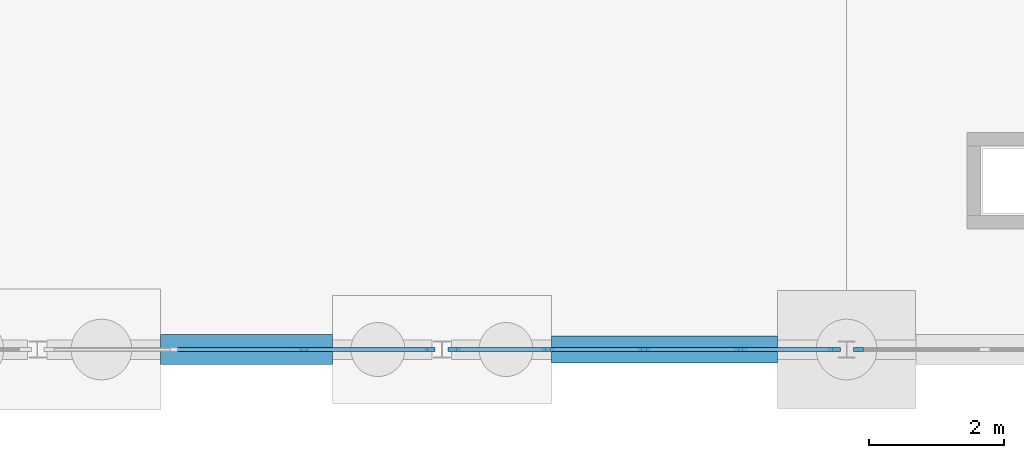
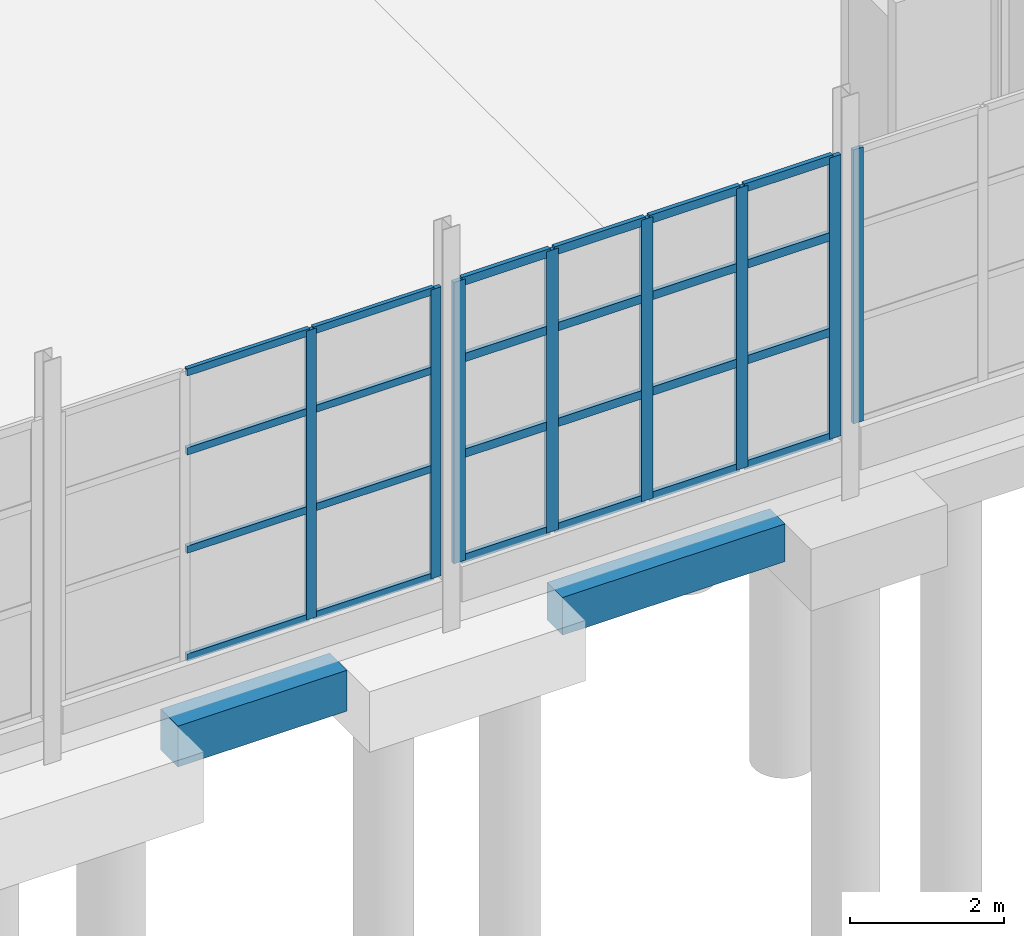
# One storey, part 56 of 120: 32 members, 2 beams, 3 elements without a shape of their own.
"""IFC4 building model written with IfcOpenShell, lengths in metres."""

from ifc_helpers import new_model, si_unit, direction, frame, origin, origin_2d, place, context, subcontext, project, spatial, rectangle, extrude, material, material_profile, profile_set, type_object, element, aggregate, save


model = new_model("IFC4")

# Units and contexts
model_context = context("Model", 3, precision=1e-05, world=origin(), true_north=direction((0.0, 1.0)))
body_context = subcontext(model_context, "Body", "Model", "MODEL_VIEW")
ifc_project = project(units=[si_unit("LENGTHUNIT", "METRE"), si_unit("AREAUNIT", "SQUARE_METRE"), si_unit("VOLUMEUNIT", "CUBIC_METRE"), si_unit("PLANEANGLEUNIT", "RADIAN"), si_unit("MASSUNIT", "GRAM", prefix="KILO")], contexts=[model_context])

# Site, building, storey
site_placement = place(None, origin())
site = spatial("IfcSite", under=ifc_project, at=site_placement, CompositionType="ELEMENT")
building_placement = place(site_placement, origin())
building = spatial("IfcBuilding", under=site, at=building_placement, Name="Siltcreek Boulevard Central Fire Station", CompositionType="ELEMENT")
storey_placement = place(building_placement, origin())
storey = spatial("IfcBuildingStorey", under=building, at=storey_placement, Name="L01", CompositionType="ELEMENT", Elevation=0.0)

# Curtain wall, members
ifc_material_1 = material(Name="Anodized aluminum and low-E insulated glazing", Category="aluminium")
curtain_wall_type_1 = type_object("IfcCurtainWallType", Name="CW_SYS_08", PredefinedType="USERDEFINED", material=ifc_material_1)
curtain_wall_1_placement = place(storey_placement, origin())
curtain_wall_1 = element("IfcCurtainWall", 1, at=curtain_wall_1_placement, inside=storey, type_object=curtain_wall_type_1, Name="L01 V6 unitised curtain wall CW-187", ObjectType="CURTAIN WALL", PredefinedType="USERDEFINED")
ifc_material_2 = material(Name="Anodized 6063-T6 aluminum framing", Category="aluminium")
ifc_material_profile_1 = material_profile(ifc_material_2, rectangle(XDim=0.06005859375, YDim=0.14990234375, at=origin_2d()), Name="MULL60X150")
ifc_profile_set_1 = profile_set([ifc_material_profile_1], Name="Anodized 6063-T6 aluminum framing")
member_type_1 = type_object("IfcMemberType", Name="CWM_60X150", PredefinedType="MULLION", material=ifc_profile_set_1)
member_1_placement = place(storey_placement, frame((152.151611328125, 1.800048828125, 0.43994140625), z_axis=(0.0, 0.0, 1.0), x_axis=(0.0, 1.0, 0.0)))
member_1 = element("IfcMember", 2, at=member_1_placement, type_object=member_type_1, Name="CW-187 mullion 3", PredefinedType="MULLION", context=body_context, shape_type="SweptSolid", body=[
    extrude(rectangle(XDim=0.06005859375, YDim=0.14990234375, at=origin_2d()), origin(), (0.0, 0.0, 1.0), 4.594970703125),
])
member_2_placement = place(storey_placement, frame((154.02490234375, 1.800048828125, 0.43994140625), z_axis=(0.0, 0.0, 1.0), x_axis=(0.0, 1.0, 0.0)))
member_2 = element("IfcMember", 3, at=member_2_placement, type_object=member_type_1, Name="CW-187 mullion 4", PredefinedType="MULLION", context=body_context, shape_type="SweptSolid", body=[
    extrude(rectangle(XDim=0.06005859375, YDim=0.14990234375, at=origin_2d()), origin(), (0.0, 0.0, 1.0), 4.594970703125),
])

# Curtain wall, member
curtain_wall_type_2 = type_object("IfcCurtainWallType", Name="CW_SYS_10", PredefinedType="USERDEFINED", material=ifc_material_1)
curtain_wall_2_placement = place(storey_placement, origin())
curtain_wall_2 = element("IfcCurtainWall", 4, at=curtain_wall_2_placement, inside=storey, type_object=curtain_wall_type_2, Name="L01 V6 unitised curtain wall CW-189", ObjectType="CURTAIN WALL", PredefinedType="USERDEFINED")
member_3_placement = place(storey_placement, frame((160.375, 1.800048828125, 0.679931640625), z_axis=(0.0, 0.0, 1.0), x_axis=(0.0, 1.0, 0.0)))
member_3 = element("IfcMember", 5, at=member_3_placement, type_object=member_type_1, Name="CW-189 mullion 1", PredefinedType="MULLION", context=body_context, shape_type="SweptSolid", body=[
    extrude(rectangle(XDim=0.06005859375, YDim=0.14990234375, at=origin_2d()), origin(), (0.0, 0.0, 1.0), 4.35498046875),
])
aggregate(curtain_wall_2, [member_3])

# Curtain wall, members
curtain_wall_type_3 = type_object("IfcCurtainWallType", Name="CW_SYS_09", PredefinedType="USERDEFINED", material=ifc_material_1)
curtain_wall_3_placement = place(storey_placement, origin())
curtain_wall_3 = element("IfcCurtainWall", 6, at=curtain_wall_3_placement, inside=storey, type_object=curtain_wall_type_3, Name="L01 V6 unitised curtain wall CW-188", ObjectType="CURTAIN WALL", PredefinedType="USERDEFINED")
ifc_material_profile_2 = material_profile(ifc_material_2, rectangle(XDim=0.06494140625, YDim=0.175048828125, at=origin_2d()), Name="MULL65X175")
ifc_profile_set_2 = profile_set([ifc_material_profile_2], Name="Anodized 6063-T6 aluminum framing")
member_type_2 = type_object("IfcMemberType", Name="CWM_65X175", PredefinedType="MULLION", material=ifc_profile_set_2)
member_4_placement = place(storey_placement, frame((154.37744140625, 1.800048828125, 0.56005859375), z_axis=(0.0, 0.0, 1.0), x_axis=(0.0, 1.0, 0.0)))
member_4 = element("IfcMember", 7, at=member_4_placement, type_object=member_type_2, Name="CW-188 mullion 1", PredefinedType="MULLION", context=body_context, shape_type="SweptSolid", body=[
    extrude(rectangle(XDim=0.06494140625, YDim=0.175048828125, at=origin_2d()), origin(), (0.0, 0.0, 1.0), 4.474853515625),
])
member_5_placement = place(storey_placement, frame((155.7724609375, 1.800048828125, 0.56005859375), z_axis=(0.0, 0.0, 1.0), x_axis=(0.0, 1.0, 0.0)))
member_5 = element("IfcMember", 8, at=member_5_placement, type_object=member_type_2, Name="CW-188 mullion 2", PredefinedType="MULLION", context=body_context, shape_type="SweptSolid", body=[
    extrude(rectangle(XDim=0.06494140625, YDim=0.175048828125, at=origin_2d()), origin(), (0.0, 0.0, 1.0), 4.474853515625),
])
member_6_placement = place(storey_placement, frame((157.199951171875, 1.800048828125, 0.56005859375), z_axis=(0.0, 0.0, 1.0), x_axis=(0.0, 1.0, 0.0)))
member_6 = element("IfcMember", 9, at=member_6_placement, type_object=member_type_2, Name="CW-188 mullion 3", PredefinedType="MULLION", context=body_context, shape_type="SweptSolid", body=[
    extrude(rectangle(XDim=0.06494140625, YDim=0.175048828125, at=origin_2d()), origin(), (0.0, 0.0, 1.0), 4.474853515625),
])
member_7_placement = place(storey_placement, frame((158.62744140625, 1.800048828125, 0.56005859375), z_axis=(0.0, 0.0, 1.0), x_axis=(0.0, 1.0, 0.0)))
member_7 = element("IfcMember", 10, at=member_7_placement, type_object=member_type_2, Name="CW-188 mullion 4", PredefinedType="MULLION", context=body_context, shape_type="SweptSolid", body=[
    extrude(rectangle(XDim=0.06494140625, YDim=0.175048828125, at=origin_2d()), origin(), (0.0, 0.0, 1.0), 4.474853515625),
])
member_8_placement = place(storey_placement, frame((160.0224609375, 1.800048828125, 0.56005859375), z_axis=(0.0, 0.0, 1.0), x_axis=(0.0, 1.0, 0.0)))
member_8 = element("IfcMember", 11, at=member_8_placement, type_object=member_type_2, Name="CW-188 mullion 5", PredefinedType="MULLION", context=body_context, shape_type="SweptSolid", body=[
    extrude(rectangle(XDim=0.06494140625, YDim=0.175048828125, at=origin_2d()), origin(), (0.0, 0.0, 1.0), 4.474853515625),
])

# Member
ifc_material_profile_3 = material_profile(ifc_material_2, rectangle(XDim=0.06005859375, YDim=0.114990234375, at=origin_2d()), Name="TRAN60X115")
ifc_profile_set_3 = profile_set([ifc_material_profile_3], Name="Anodized 6063-T6 aluminum framing")
member_type_3 = type_object("IfcMemberType", Name="CWT_60X115", PredefinedType="USERDEFINED", material=ifc_profile_set_3)
member_9_placement = place(storey_placement, frame((150.2783203125, 1.800048828125, 0.469970703125), z_axis=(1.0, 0.0, 0.0), x_axis=(0.0, 1.0, 0.0)))
member_9 = element("IfcMember", 12, at=member_9_placement, type_object=member_type_3, Name="CW-187 transom 2.1", ObjectType="TRANSOM", PredefinedType="USERDEFINED", context=body_context, shape_type="SweptSolid", body=[
    extrude(rectangle(XDim=0.06005859375, YDim=0.114990234375, at=origin_2d()), origin(), (0.0, 0.0, 1.0), 1.84326171875),
])

member_10_placement = place(storey_placement, frame((150.2783203125, 1.800048828125, 2.18603515625), z_axis=(1.0, 0.0, 0.0), x_axis=(0.0, 1.0, 0.0)))
member_10 = element("IfcMember", 13, at=member_10_placement, type_object=member_type_3, Name="CW-187 transom 2.2", ObjectType="TRANSOM", PredefinedType="USERDEFINED", context=body_context, shape_type="SweptSolid", body=[
    extrude(rectangle(XDim=0.06005859375, YDim=0.114990234375, at=origin_2d()), origin(), (0.0, 0.0, 1.0), 1.84326171875),
])

member_11_placement = place(storey_placement, frame((150.2783203125, 1.800048828125, 3.748291015625), z_axis=(1.0, 0.0, 0.0), x_axis=(0.0, 1.0, 0.0)))
member_11 = element("IfcMember", 14, at=member_11_placement, type_object=member_type_3, Name="CW-187 transom 2.3", ObjectType="TRANSOM", PredefinedType="USERDEFINED", context=body_context, shape_type="SweptSolid", body=[
    extrude(rectangle(XDim=0.06005859375, YDim=0.114990234375, at=origin_2d()), origin(), (0.0, 0.0, 1.0), 1.84326171875),
])

member_12_placement = place(storey_placement, frame((150.2783203125, 1.800048828125, 5.0048828125), z_axis=(1.0, 0.0, 0.0), x_axis=(0.0, 1.0, 0.0)))
member_12 = element("IfcMember", 15, at=member_12_placement, type_object=member_type_3, Name="CW-187 transom 2.4", ObjectType="TRANSOM", PredefinedType="USERDEFINED", context=body_context, shape_type="SweptSolid", body=[
    extrude(rectangle(XDim=0.06005859375, YDim=0.114990234375, at=origin_2d()), origin(), (0.0, 0.0, 1.0), 1.84326171875),
])

member_13_placement = place(storey_placement, frame((152.181640625, 1.800048828125, 0.469970703125), z_axis=(1.0, 0.0, 0.0), x_axis=(0.0, 1.0, 0.0)))
member_13 = element("IfcMember", 16, at=member_13_placement, type_object=member_type_3, Name="CW-187 transom 3.1", ObjectType="TRANSOM", PredefinedType="USERDEFINED", context=body_context, shape_type="SweptSolid", body=[
    extrude(rectangle(XDim=0.06005859375, YDim=0.114990234375, at=origin_2d()), origin(), (0.0, 0.0, 1.0), 1.8134765625),
])

member_14_placement = place(storey_placement, frame((152.181640625, 1.800048828125, 2.18603515625), z_axis=(1.0, 0.0, 0.0), x_axis=(0.0, 1.0, 0.0)))
member_14 = element("IfcMember", 17, at=member_14_placement, type_object=member_type_3, Name="CW-187 transom 3.2", ObjectType="TRANSOM", PredefinedType="USERDEFINED", context=body_context, shape_type="SweptSolid", body=[
    extrude(rectangle(XDim=0.06005859375, YDim=0.114990234375, at=origin_2d()), origin(), (0.0, 0.0, 1.0), 1.8134765625),
])

member_15_placement = place(storey_placement, frame((152.181640625, 1.800048828125, 3.748291015625), z_axis=(1.0, 0.0, 0.0), x_axis=(0.0, 1.0, 0.0)))
member_15 = element("IfcMember", 18, at=member_15_placement, type_object=member_type_3, Name="CW-187 transom 3.3", ObjectType="TRANSOM", PredefinedType="USERDEFINED", context=body_context, shape_type="SweptSolid", body=[
    extrude(rectangle(XDim=0.06005859375, YDim=0.114990234375, at=origin_2d()), origin(), (0.0, 0.0, 1.0), 1.8134765625),
])

member_16_placement = place(storey_placement, frame((152.181640625, 1.800048828125, 5.0048828125), z_axis=(1.0, 0.0, 0.0), x_axis=(0.0, 1.0, 0.0)))
member_16 = element("IfcMember", 19, at=member_16_placement, type_object=member_type_3, Name="CW-187 transom 3.4", ObjectType="TRANSOM", PredefinedType="USERDEFINED", context=body_context, shape_type="SweptSolid", body=[
    extrude(rectangle(XDim=0.06005859375, YDim=0.114990234375, at=origin_2d()), origin(), (0.0, 0.0, 1.0), 1.8134765625),
])

aggregate(curtain_wall_1, [member_1, member_2, member_9, member_10, member_11, member_12, member_13, member_14, member_15, member_16])

ifc_material_profile_4 = material_profile(ifc_material_2, rectangle(XDim=0.06494140625, YDim=0.135009765625, at=origin_2d()), Name="TRAN65X135")
ifc_profile_set_4 = profile_set([ifc_material_profile_4], Name="Anodized 6063-T6 aluminum framing")
member_type_4 = type_object("IfcMemberType", Name="CWT_65X135", PredefinedType="USERDEFINED", material=ifc_profile_set_4)
member_17_placement = place(storey_placement, frame((154.409912109375, 1.800048828125, 0.592529296875), z_axis=(1.0, 0.0, 0.0), x_axis=(0.0, 1.0, 0.0)))
member_17 = element("IfcMember", 20, at=member_17_placement, type_object=member_type_4, Name="CW-188 transom 1.1", ObjectType="TRANSOM", PredefinedType="USERDEFINED", context=body_context, shape_type="SweptSolid", body=[
    extrude(rectangle(XDim=0.06494140625, YDim=0.135009765625, at=origin_2d()), origin(), (0.0, 0.0, 1.0), 1.330078125),
])

member_18_placement = place(storey_placement, frame((154.409912109375, 1.800048828125, 2.260498046875), z_axis=(1.0, 0.0, 0.0), x_axis=(0.0, 1.0, 0.0)))
member_18 = element("IfcMember", 21, at=member_18_placement, type_object=member_type_4, Name="CW-188 transom 1.2", ObjectType="TRANSOM", PredefinedType="USERDEFINED", context=body_context, shape_type="SweptSolid", body=[
    extrude(rectangle(XDim=0.06494140625, YDim=0.135009765625, at=origin_2d()), origin(), (0.0, 0.0, 1.0), 1.330078125),
])

member_19_placement = place(storey_placement, frame((154.409912109375, 1.800048828125, 3.781982421875), z_axis=(1.0, 0.0, 0.0), x_axis=(0.0, 1.0, 0.0)))
member_19 = element("IfcMember", 22, at=member_19_placement, type_object=member_type_4, Name="CW-188 transom 1.3", ObjectType="TRANSOM", PredefinedType="USERDEFINED", context=body_context, shape_type="SweptSolid", body=[
    extrude(rectangle(XDim=0.06494140625, YDim=0.135009765625, at=origin_2d()), origin(), (0.0, 0.0, 1.0), 1.330078125),
])

member_20_placement = place(storey_placement, frame((154.409912109375, 1.800048828125, 5.00244140625), z_axis=(1.0, 0.0, 0.0), x_axis=(0.0, 1.0, 0.0)))
member_20 = element("IfcMember", 23, at=member_20_placement, type_object=member_type_4, Name="CW-188 transom 1.4", ObjectType="TRANSOM", PredefinedType="USERDEFINED", context=body_context, shape_type="SweptSolid", body=[
    extrude(rectangle(XDim=0.06494140625, YDim=0.135009765625, at=origin_2d()), origin(), (0.0, 0.0, 1.0), 1.330078125),
])

member_21_placement = place(storey_placement, frame((155.804931640625, 1.800048828125, 0.592529296875), z_axis=(1.0, 0.0, 0.0), x_axis=(0.0, 1.0, 0.0)))
member_21 = element("IfcMember", 24, at=member_21_placement, type_object=member_type_4, Name="CW-188 transom 2.1", ObjectType="TRANSOM", PredefinedType="USERDEFINED", context=body_context, shape_type="SweptSolid", body=[
    extrude(rectangle(XDim=0.06494140625, YDim=0.135009765625, at=origin_2d()), origin(), (0.0, 0.0, 1.0), 1.362548828125),
])

member_22_placement = place(storey_placement, frame((155.804931640625, 1.800048828125, 2.260498046875), z_axis=(1.0, 0.0, 0.0), x_axis=(0.0, 1.0, 0.0)))
member_22 = element("IfcMember", 25, at=member_22_placement, type_object=member_type_4, Name="CW-188 transom 2.2", ObjectType="TRANSOM", PredefinedType="USERDEFINED", context=body_context, shape_type="SweptSolid", body=[
    extrude(rectangle(XDim=0.06494140625, YDim=0.135009765625, at=origin_2d()), origin(), (0.0, 0.0, 1.0), 1.362548828125),
])

member_23_placement = place(storey_placement, frame((155.804931640625, 1.800048828125, 3.781982421875), z_axis=(1.0, 0.0, 0.0), x_axis=(0.0, 1.0, 0.0)))
member_23 = element("IfcMember", 26, at=member_23_placement, type_object=member_type_4, Name="CW-188 transom 2.3", ObjectType="TRANSOM", PredefinedType="USERDEFINED", context=body_context, shape_type="SweptSolid", body=[
    extrude(rectangle(XDim=0.06494140625, YDim=0.135009765625, at=origin_2d()), origin(), (0.0, 0.0, 1.0), 1.362548828125),
])

member_24_placement = place(storey_placement, frame((155.804931640625, 1.800048828125, 5.00244140625), z_axis=(1.0, 0.0, 0.0), x_axis=(0.0, 1.0, 0.0)))
member_24 = element("IfcMember", 27, at=member_24_placement, type_object=member_type_4, Name="CW-188 transom 2.4", ObjectType="TRANSOM", PredefinedType="USERDEFINED", context=body_context, shape_type="SweptSolid", body=[
    extrude(rectangle(XDim=0.06494140625, YDim=0.135009765625, at=origin_2d()), origin(), (0.0, 0.0, 1.0), 1.362548828125),
])

member_25_placement = place(storey_placement, frame((157.232421875, 1.800048828125, 0.592529296875), z_axis=(1.0, 0.0, 0.0), x_axis=(0.0, 1.0, 0.0)))
member_25 = element("IfcMember", 28, at=member_25_placement, type_object=member_type_4, Name="CW-188 transom 3.1", ObjectType="TRANSOM", PredefinedType="USERDEFINED", context=body_context, shape_type="SweptSolid", body=[
    extrude(rectangle(XDim=0.06494140625, YDim=0.135009765625, at=origin_2d()), origin(), (0.0, 0.0, 1.0), 1.362548828125),
])

member_26_placement = place(storey_placement, frame((157.232421875, 1.800048828125, 2.260498046875), z_axis=(1.0, 0.0, 0.0), x_axis=(0.0, 1.0, 0.0)))
member_26 = element("IfcMember", 29, at=member_26_placement, type_object=member_type_4, Name="CW-188 transom 3.2", ObjectType="TRANSOM", PredefinedType="USERDEFINED", context=body_context, shape_type="SweptSolid", body=[
    extrude(rectangle(XDim=0.06494140625, YDim=0.135009765625, at=origin_2d()), origin(), (0.0, 0.0, 1.0), 1.362548828125),
])

member_27_placement = place(storey_placement, frame((157.232421875, 1.800048828125, 3.781982421875), z_axis=(1.0, 0.0, 0.0), x_axis=(0.0, 1.0, 0.0)))
member_27 = element("IfcMember", 30, at=member_27_placement, type_object=member_type_4, Name="CW-188 transom 3.3", ObjectType="TRANSOM", PredefinedType="USERDEFINED", context=body_context, shape_type="SweptSolid", body=[
    extrude(rectangle(XDim=0.06494140625, YDim=0.135009765625, at=origin_2d()), origin(), (0.0, 0.0, 1.0), 1.362548828125),
])

member_28_placement = place(storey_placement, frame((157.232421875, 1.800048828125, 5.00244140625), z_axis=(1.0, 0.0, 0.0), x_axis=(0.0, 1.0, 0.0)))
member_28 = element("IfcMember", 31, at=member_28_placement, type_object=member_type_4, Name="CW-188 transom 3.4", ObjectType="TRANSOM", PredefinedType="USERDEFINED", context=body_context, shape_type="SweptSolid", body=[
    extrude(rectangle(XDim=0.06494140625, YDim=0.135009765625, at=origin_2d()), origin(), (0.0, 0.0, 1.0), 1.362548828125),
])

member_29_placement = place(storey_placement, frame((158.659912109375, 1.800048828125, 0.592529296875), z_axis=(1.0, 0.0, 0.0), x_axis=(0.0, 1.0, 0.0)))
member_29 = element("IfcMember", 32, at=member_29_placement, type_object=member_type_4, Name="CW-188 transom 4.1", ObjectType="TRANSOM", PredefinedType="USERDEFINED", context=body_context, shape_type="SweptSolid", body=[
    extrude(rectangle(XDim=0.06494140625, YDim=0.135009765625, at=origin_2d()), origin(), (0.0, 0.0, 1.0), 1.330078125),
])

member_30_placement = place(storey_placement, frame((158.659912109375, 1.800048828125, 2.260498046875), z_axis=(1.0, 0.0, 0.0), x_axis=(0.0, 1.0, 0.0)))
member_30 = element("IfcMember", 33, at=member_30_placement, type_object=member_type_4, Name="CW-188 transom 4.2", ObjectType="TRANSOM", PredefinedType="USERDEFINED", context=body_context, shape_type="SweptSolid", body=[
    extrude(rectangle(XDim=0.06494140625, YDim=0.135009765625, at=origin_2d()), origin(), (0.0, 0.0, 1.0), 1.330078125),
])

member_31_placement = place(storey_placement, frame((158.659912109375, 1.800048828125, 3.781982421875), z_axis=(1.0, 0.0, 0.0), x_axis=(0.0, 1.0, 0.0)))
member_31 = element("IfcMember", 34, at=member_31_placement, type_object=member_type_4, Name="CW-188 transom 4.3", ObjectType="TRANSOM", PredefinedType="USERDEFINED", context=body_context, shape_type="SweptSolid", body=[
    extrude(rectangle(XDim=0.06494140625, YDim=0.135009765625, at=origin_2d()), origin(), (0.0, 0.0, 1.0), 1.330078125),
])

member_32_placement = place(storey_placement, frame((158.659912109375, 1.800048828125, 5.00244140625), z_axis=(1.0, 0.0, 0.0), x_axis=(0.0, 1.0, 0.0)))
member_32 = element("IfcMember", 35, at=member_32_placement, type_object=member_type_4, Name="CW-188 transom 4.4", ObjectType="TRANSOM", PredefinedType="USERDEFINED", context=body_context, shape_type="SweptSolid", body=[
    extrude(rectangle(XDim=0.06494140625, YDim=0.135009765625, at=origin_2d()), origin(), (0.0, 0.0, 1.0), 1.330078125),
])

aggregate(curtain_wall_3, [member_4, member_5, member_6, member_7, member_8, member_17, member_18, member_19, member_20, member_21, member_22, member_23, member_24, member_25, member_26, member_27, member_28, member_29, member_30, member_31, member_32])

# Beams
ifc_material_3 = material(Name="Concrete C35/45", Category="concrete")
ifc_material_profile_5 = material_profile(ifc_material_3, rectangle(XDim=0.39990234375, YDim=0.60009765625, at=origin_2d()), Name="RC400X600")
ifc_profile_set_5 = profile_set([ifc_material_profile_5], Name="Concrete C35/45")
beam_type_1 = type_object("IfcBeamType", Name="GB_RC400X600", PredefinedType="USERDEFINED", material=ifc_profile_set_5)
beam_1_placement = place(storey_placement, frame((155.826904296875, 1.800048828125, -0.7099609375), z_axis=(1.0, 0.0, 0.0), x_axis=(0.0, 1.0, 0.0)))
element("IfcBeam", 36, at=beam_1_placement, inside=storey, type_object=beam_type_1, Name="Reinforced concrete tie grade beam GB-009", ObjectType="GRADE BEAM", PredefinedType="USERDEFINED", context=body_context, shape_type="SweptSolid", body=[
    extrude(rectangle(XDim=0.39990234375, YDim=0.60009765625, at=origin_2d()), origin(), (0.0, 0.0, 1.0), 3.34619140625),
])
ifc_material_profile_6 = material_profile(ifc_material_3, rectangle(XDim=0.449951171875, YDim=0.64990234375, at=origin_2d()), Name="RC450X650")
ifc_profile_set_6 = profile_set([ifc_material_profile_6], Name="Concrete C35/45")
beam_type_2 = type_object("IfcBeamType", Name="GB_RC450X650", PredefinedType="USERDEFINED", material=ifc_profile_set_6)
beam_2_placement = place(storey_placement, frame((150.027099609375, 1.800048828125, -0.735107421875), z_axis=(1.0, 0.0, 0.0), x_axis=(0.0, 1.0, 0.0)))
element("IfcBeam", 37, at=beam_2_placement, inside=storey, type_object=beam_type_2, Name="Reinforced concrete tie grade beam GB-008", ObjectType="GRADE BEAM", PredefinedType="USERDEFINED", context=body_context, shape_type="SweptSolid", body=[
    extrude(rectangle(XDim=0.449951171875, YDim=0.64990234375, at=origin_2d()), origin(), (0.0, 0.0, 1.0), 2.5458984375),
])

save(model, "model.ifc")
